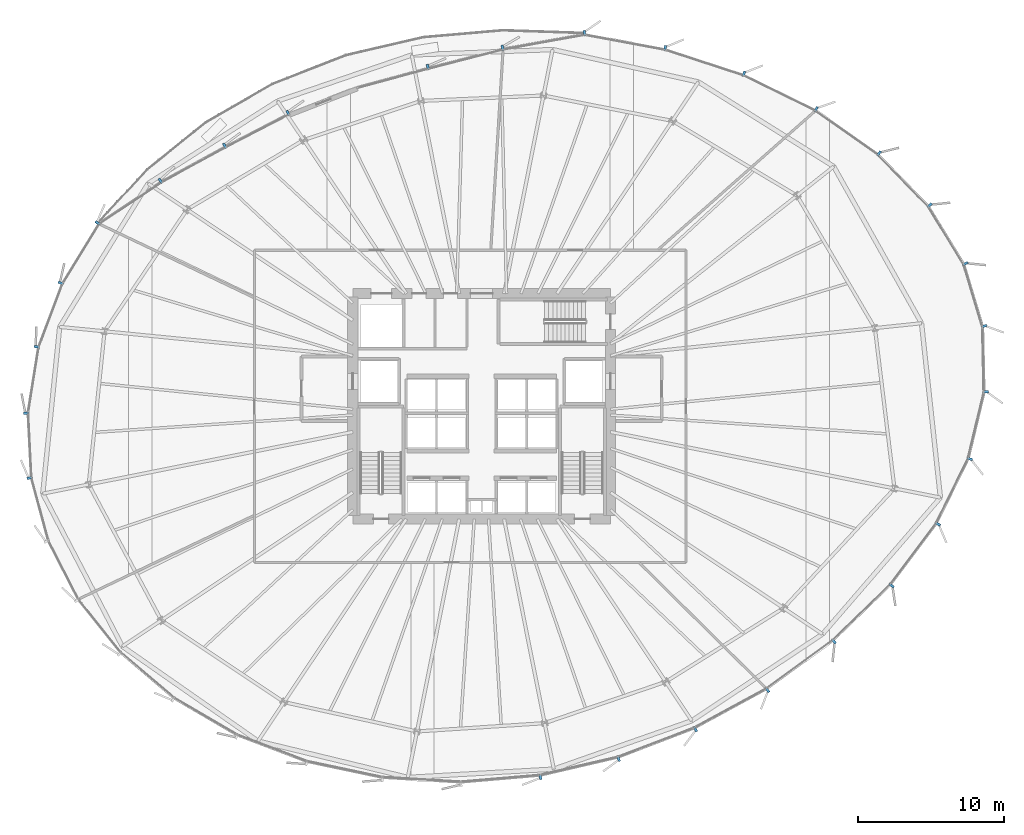
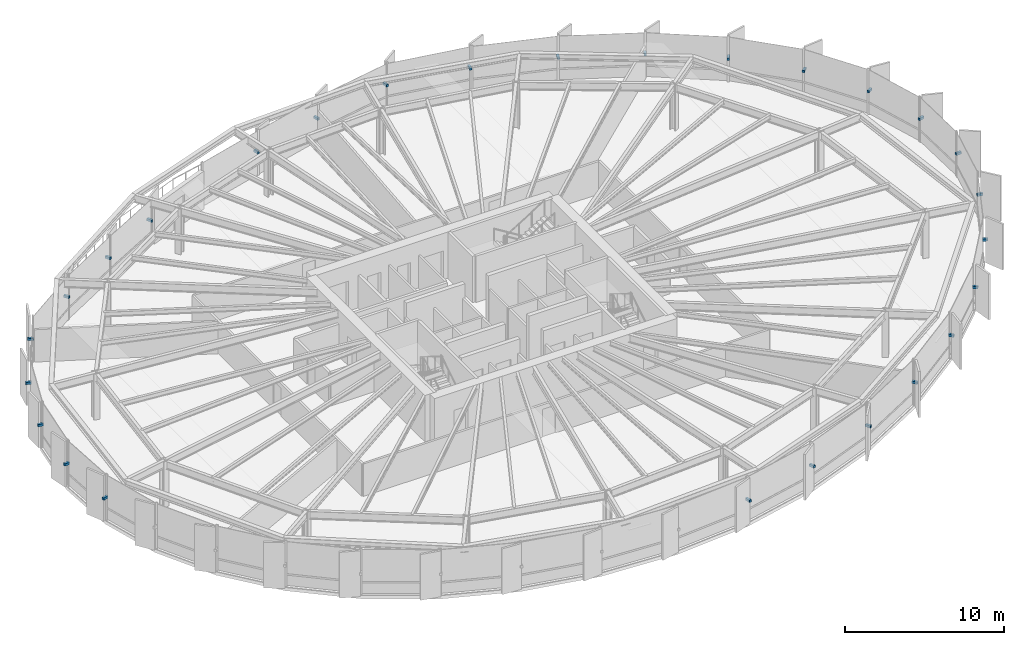
# One storey, part 34 of 38: 27 discrete accessories.
"""IFC4 building model written with IfcOpenShell, lengths in metres."""

import ifcopenshell
import ifcopenshell.guid

model = None  # the IFC model being written
_history = None  # IfcOwnerHistory: only IFC2X3 demands one
_inside = {}  # id of a spatial element -> (the spatial element, [elements in it])
_under = {}  # id of a project, library or spatial element -> (it, [spatial elements below it])
_declared = {}  # id of a project -> (the project, [libraries it declares])
_typed = {}  # id of a type object -> (the type object, [elements of that type])
_made_of = {}  # id of a material, layer set ... -> (it, [elements and type objects made of it])


def new_model(schema):
    """Start an empty IFC model of exactly this schema.

    Asked for "IFC4X3", IfcOpenShell would pick the latest addendum, in which some entities
    have other attributes; the version numbers below select the first issue.
    IFC2X3 requires an IfcOwnerHistory on every rooted entity: one is made here for all.
    """
    global model, _history
    if schema == "IFC4X3":
        model = ifcopenshell.file(schema_version=(4, 3, 0, 0))
    else:
        model = ifcopenshell.file(schema=schema)
    _inside.clear()
    _under.clear()
    _declared.clear()
    _typed.clear()
    _made_of.clear()
    _history = None
    if model.schema == "IFC2X3":
        org = make("IfcOrganization", Name="unknown")
        user = make(
            "IfcPersonAndOrganization",
            ThePerson=make("IfcPerson", FamilyName="unknown"),
            TheOrganization=org,
        )
        app = make(
            "IfcApplication",
            ApplicationDeveloper=org,
            Version="unknown",
            ApplicationFullName="unknown",
            ApplicationIdentifier="unknown",
        )
        _history = make(
            "IfcOwnerHistory",
            OwningUser=user,
            OwningApplication=app,
            ChangeAction="ADDED",
            CreationDate=0,
        )
    return model


def make(cls, **values):
    """One entity of the class cls with the attributes given. An attribute that is None is left unset."""
    return model.create_entity(
        cls, **{name: value for name, value in values.items() if value is not None}
    )


def rooted(cls, **values):
    """An entity with a GlobalId (a new one), such as an element, a storey or a relation."""
    return make(cls, GlobalId=ifcopenshell.guid.new(), OwnerHistory=_history, **values)


def si_unit(unit_type, name, prefix=None):
    """IfcSIUnit, for example si_unit("LENGTHUNIT", "METRE", prefix="MILLI")."""
    return make("IfcSIUnit", UnitType=unit_type, Prefix=prefix, Name=name)


def assignment(units):
    """IfcUnitAssignment: the units of a project."""
    return None if units is None else make("IfcUnitAssignment", Units=units)


def point(xyz):
    """IfcCartesianPoint."""
    return None if xyz is None else make("IfcCartesianPoint", Coordinates=xyz)


def direction(xyz):
    """IfcDirection."""
    return None if xyz is None else make("IfcDirection", DirectionRatios=xyz)


def frame(location, z_axis=None, x_axis=None):
    """IfcAxis2Placement3D, a coordinate frame: its origin and axes. An axis left out is left unset."""
    return make(
        "IfcAxis2Placement3D",
        Location=point(location),
        Axis=direction(z_axis),
        RefDirection=direction(x_axis),
    )


def frame_2d(location, x_axis=None):
    """IfcAxis2Placement2D, a coordinate frame in the plane: its origin and x axis."""
    return make(
        "IfcAxis2Placement2D", Location=point(location), RefDirection=direction(x_axis)
    )


def origin():
    """The frame at (0, 0, 0) with its axes left unset."""
    return frame((0.0, 0.0, 0.0))


def origin_2d():
    """The frame at (0, 0) in the plane with its x axis left unset."""
    return frame_2d((0.0, 0.0))


def place(relative_to, where):
    """IfcLocalPlacement: puts the frame where relative to a parent placement (None: the world)."""
    return make(
        "IfcLocalPlacement", PlacementRelTo=relative_to, RelativePlacement=where
    )


def context(
    kind, dimensions, precision=None, world=None, true_north=None, identifier=None
):
    """IfcGeometricRepresentationContext, for example the 3D "Model" context."""
    return make(
        "IfcGeometricRepresentationContext",
        ContextIdentifier=identifier,
        ContextType=kind,
        CoordinateSpaceDimension=dimensions,
        Precision=precision,
        WorldCoordinateSystem=world,
        TrueNorth=true_north,
    )


def subcontext(parent, identifier, kind, view, scale=None):
    """IfcGeometricRepresentationSubContext, for example "Body" below "Model"."""
    return make(
        "IfcGeometricRepresentationSubContext",
        ContextIdentifier=identifier,
        ContextType=kind,
        ParentContext=parent,
        TargetScale=scale,
        TargetView=view,
    )


def project(units=None, contexts=None):
    """IfcProject with its units and contexts."""
    return rooted(
        "IfcProject",
        Name="project",
        RepresentationContexts=contexts,
        UnitsInContext=assignment(units),
    )


def spatial(cls, under=None, at=None, **own):
    """A site, building, storey or space (cls), placed at a placement, below another one or the project."""
    s = rooted(cls, ObjectPlacement=at, **own)
    if under is not None:
        _under.setdefault(under.id(), (under, []))[1].append(s)
    return s


def profile(cls, at=None, kind="AREA", **sizes):
    """A parametric profile (cls). Its sizes go by their IFC names, for example OverallWidth=200.0."""
    return make(cls, ProfileType=kind, Position=at, **sizes)


def rectangle(**sizes):
    """IfcRectangleProfileDef."""
    return profile("IfcRectangleProfileDef", **sizes)


def extrude(swept, where, along, depth):
    """IfcExtrudedAreaSolid: the profile swept, set in the frame where, extruded along a direction by depth."""
    return make(
        "IfcExtrudedAreaSolid",
        SweptArea=swept,
        Position=where,
        ExtrudedDirection=direction(along),
        Depth=depth,
    )


def shape(context_of_items, identifier, shape_type, items):
    """IfcShapeRepresentation: the items that make up one representation, for example the "Body"."""
    return make(
        "IfcShapeRepresentation",
        ContextOfItems=context_of_items,
        RepresentationIdentifier=identifier,
        RepresentationType=shape_type,
        Items=items,
    )


def source(mapping_origin, context_of_items, identifier, shape_type, items):
    """IfcRepresentationMap: a shape defined once, which mapped items show again and again."""
    return make(
        "IfcRepresentationMap",
        MappingOrigin=mapping_origin,
        MappedRepresentation=shape(context_of_items, identifier, shape_type, items),
    )


def transform(
    local_origin,
    x_axis=None,
    y_axis=None,
    z_axis=None,
    scale=None,
    scale2=None,
    scale3=None,
    uniform=True,
):
    """IfcCartesianTransformationOperator3D, or its non-uniform kind. x_axis, y_axis, z_axis: its Axis1, 2, 3."""
    if uniform:
        return make(
            "IfcCartesianTransformationOperator3D",
            Axis1=direction(x_axis),
            Axis2=direction(y_axis),
            LocalOrigin=point(local_origin),
            Scale=scale,
            Axis3=direction(z_axis),
        )
    return make(
        "IfcCartesianTransformationOperator3DnonUniform",
        Axis1=direction(x_axis),
        Axis2=direction(y_axis),
        LocalOrigin=point(local_origin),
        Scale=scale,
        Axis3=direction(z_axis),
        Scale2=scale2,
        Scale3=scale3,
    )


def mapped(mapping_source, mapping_target):
    """IfcMappedItem: shows the shape of a source again, moved by a transform."""
    return make(
        "IfcMappedItem", MappingSource=mapping_source, MappingTarget=mapping_target
    )


def material(Name=None, Category=None):
    """IfcMaterial."""
    return make("IfcMaterial", Name=Name, Category=Category)


def made_of(thing, what):
    """Note that an element or type object is made of a material, layer set ...; save() writes the relation."""
    if what is not None:
        _made_of.setdefault(what.id(), (what, []))[1].append(thing)
    return thing


def type_object(cls, material=None, **own):
    """A type object (cls), such as IfcWallType, which elements share."""
    return made_of(rooted(cls, **own), material)


def element(
    cls,
    number,
    at=None,
    inside=None,
    cuts=None,
    type_object=None,
    material=None,
    context=None,
    identifier="Body",
    shape_type=None,
    held_by="IfcProductDefinitionShape",
    body=None,
    shapes=None,
    **own,
):
    """One element of the class cls, such as IfcWall. Its Tag is "e" and its number.

    at: its placement. inside: the storey or other place that contains it. cuts: it is an
    opening in that element (IfcRelVoidsElement). A single representation is given by context,
    identifier, shape_type and body (its items); several are given by shapes. held_by: the class
    of the entity that holds the representations. save() writes the other relations.
    """
    e = rooted(cls, Tag="e%d" % number, ObjectPlacement=at, **own)
    if body is not None:
        shapes = [shape(context, identifier, shape_type, body)]
    if shapes is not None:
        e.Representation = make(held_by, Representations=shapes)
    if inside is not None:
        _inside.setdefault(inside.id(), (inside, []))[1].append(e)
    if cuts is not None:
        rooted(
            "IfcRelVoidsElement", RelatingBuildingElement=cuts, RelatedOpeningElement=e
        )
    if type_object is not None:
        _typed.setdefault(type_object.id(), (type_object, []))[1].append(e)
    return made_of(e, material)


def aggregate(whole, parts):
    """IfcRelAggregates: a whole, such as a stair, and the parts it consists of."""
    return rooted("IfcRelAggregates", RelatingObject=whole, RelatedObjects=parts)


def save(model, path):
    """Write the relations noted so far, then the file.

    IfcRelAggregates (storeys below a building ...), IfcRelContainedInSpatialStructure (elements
    in a storey), IfcRelDefinesByType, IfcRelAssociatesMaterial and IfcRelDeclares: one each for
    every whole, place, type object, material and project.
    """
    for whole, parts in _under.values():
        aggregate(whole, parts)
    for where, things in _inside.values():
        rooted(
            "IfcRelContainedInSpatialStructure",
            RelatedElements=things,
            RelatingStructure=where,
        )
    for kind, things in _typed.values():
        rooted("IfcRelDefinesByType", RelatedObjects=things, RelatingType=kind)
    for what, things in _made_of.values():
        rooted("IfcRelAssociatesMaterial", RelatedObjects=things, RelatingMaterial=what)
    for by, libraries in _declared.values():
        rooted("IfcRelDeclares", RelatingContext=by, RelatedDefinitions=libraries)
    model.write(path)


model = new_model("IFC4")

# Units and contexts
model_context = context("Model", 3, precision=1e-05, world=origin(), true_north=direction((0.0, 1.0)))
body_context = subcontext(model_context, "Body", "Model", "MODEL_VIEW")
ifc_project = project(units=[si_unit("LENGTHUNIT", "METRE"), si_unit("AREAUNIT", "SQUARE_METRE"), si_unit("VOLUMEUNIT", "CUBIC_METRE"), si_unit("PLANEANGLEUNIT", "RADIAN"), si_unit("MASSUNIT", "GRAM", prefix="KILO"), si_unit("THERMODYNAMICTEMPERATUREUNIT", "KELVIN")], contexts=[model_context])

# Site, building, storey
site_placement = place(None, origin())
site = spatial("IfcSite", under=ifc_project, at=site_placement, CompositionType="ELEMENT")
building_placement = place(site_placement, origin())
building = spatial("IfcBuilding", under=site, at=building_placement, Name="Kethvar Cultural Tower", CompositionType="ELEMENT")
storey_placement = place(building_placement, frame((0.0, 0.0, 67.60009765625)))
storey = spatial("IfcBuildingStorey", under=building, at=storey_placement, Name="L16", CompositionType="ELEMENT", Elevation=67.60009765625)

# Discrete accessories
ifc_material = material(Name="Steel S355J2", Category="steel")
discrete_accessory_type = type_object("IfcDiscreteAccessoryType", Name="Steel Fin Bracket BRK-01", PredefinedType="BRACKET", material=ifc_material)
shared_shape = source(origin(), body_context, "Body", "SweptSolid", [
    extrude(rectangle(XDim=0.3798828125, YDim=0.159912109375, at=origin_2d()), origin(), (0.0, 0.0, 1.0), 0.179931640625),
])
for number, where, z_axis, x_axis, name in (
    (1, (81.11279296875, 33.2783203125, 1.68505859375), (0.0, 0.0, 1.0), (0.957521046483, 0.288363391474, 0.0), "L16 Terracotta Fin Bracket 1.1"),
    (2, (79.82958984375, 37.5380859375, 1.68505859375), (0.0, 0.0, 1.0), (0.853095805649, 0.521754296948, 0.0), "L16 Terracotta Fin Bracket 1.2"),
    (3, (77.393310546875, 41.5205078125, 1.68505859375), (0.0, 0.0, 1.0), (0.71691060765, 0.697165102855, 0.0), "L16 Terracotta Fin Bracket 1.3"),
    (4, (73.939208984375, 45.071533203125, 1.68505859375), (0.0, 0.0, 1.0), (0.575576288125, 0.817748088685, 0.0), "L16 Terracotta Fin Bracket 1.4"),
    (5, (69.643310546875, 48.0947265625, 1.68505859375), (0.0, 0.0, 1.0), (0.440252613806, 0.897873953312, 0.0), "L16 Terracotta Fin Bracket 1.5"),
    (6, (64.71435546875, 50.510986328125, 1.68505859375), (0.0, 0.0, 1.0), (0.310842321189, 0.950461493885, 0.0), "L16 Terracotta Fin Bracket 1.6"),
    (7, (59.330810546875, 52.265869140625, 1.68505859375), (0.0, 0.0, 1.0), (0.182921922448, 0.983127443564, 0.0), "L16 Terracotta Fin Bracket 2.1"),
    (8, (53.823974609375, 53.290283203125, 1.68505859375), (0.0, 0.0, 1.0), (-0.176741180461, 0.984257362243, 0.0), "L16 Terracotta Fin Bracket 2.2"),
    (9, (48.231201171875, 52.28564453125, 1.68505859375), (0.0, 0.0, 1.0), (-0.249535040626, 0.96836576948, 0.0), "L16 Terracotta Fin Bracket 2.3"),
    (10, (43.12890625, 50.97119140625, 1.68505859375), (0.0, 0.0, 1.0), (-0.261515406195, 0.965199301866, 0.0), "L16 Terracotta Fin Bracket 2.4"),
    (11, (33.577880859375, 47.833740234375, 1.68505859375), (0.0, 0.0, 1.0), (-0.46035473079, 0.8877350516, 0.0), "L16 Terracotta Fin Bracket 3.1"),
    (12, (29.256591796875, 45.5927734375, 1.68505859375), (0.0, 0.0, 1.0), (-0.478845087586, 0.877899414566, 0.0), "L16 Terracotta Fin Bracket 3.2"),
    (13, (24.865234375, 43.197265625, 1.68505859375), (0.0, 0.0, 1.0), (-0.556875616488, 0.830595899196, 0.0), "L16 Terracotta Fin Bracket 3.3"),
    (14, (20.5771484375, 40.32177734375, 1.68505859375), (0.0, 0.0, 1.0), (-0.852640164354, 0.522498564716, 0.0), "L16 Terracotta Fin Bracket 3.4"),
    (15, (18.06298828125, 36.21923828125, 1.68505859375), (0.0, 0.0, 1.0), (-0.935875183578, 0.352331719779, 0.0), "L16 Terracotta Fin Bracket 3.5"),
    (16, (16.42236328125, 31.86083984375, 1.68505859375), (0.0, 0.0, 1.0), (-0.987413806751, 0.158158067254, 0.0), "L16 Terracotta Fin Bracket 3.6"),
    (17, (15.706787109375, 27.3369140625, 1.68505859375), (0.0, 0.0, 1.0), (-0.998710511839, -0.050767248716, 0.0), "L16 Terracotta Fin Bracket 4.1"),
    (18, (15.931884765625, 22.909912109375, 1.68505859375), (0.0, 0.0, 1.0), (-0.965518082788, -0.260335997913, 0.0), "L16 Terracotta Fin Bracket 4.2"),
    (19, (50.808837890625, 2.493408203125, 1.68505859375), (0.0, 0.0, 1.0), (0.226141303767, -0.97409450811, 0.0), "L16 Terracotta Fin Bracket 5.5"),
    (20, (56.1513671875, 3.733642578125, 1.68505859375), (0.0, 0.0, 1.0), (0.357716100175, -0.933830386995, 0.0), "L16 Terracotta Fin Bracket 5.6"),
    (21, (61.397705078125, 5.7490234375, 1.68505859375), (0.0, 0.0, 1.0), (0.477772174015, -0.87848377887, 0.0), "L16 Terracotta Fin Bracket 6.1"),
    (22, (66.316162109375, 8.424560546875, 1.68505859375), (0.0, 0.0, 1.0), (0.589337369217, -0.807887037428, 0.0), "L16 Terracotta Fin Bracket 6.2"),
    (23, (70.856689453125, 11.7373046875, 1.68505859375), (0.0, 0.0, 1.0), (0.696163427557, -0.717883334625, 0.0), "L16 Terracotta Fin Bracket 6.3"),
    (24, (74.7978515625, 15.55859375, 1.68505859375), (0.0, 0.0, 1.0), (0.800103635968, -0.599861793842, 0.0), "L16 Terracotta Fin Bracket 6.4"),
    (25, (77.94921875, 19.761962890625, 1.68505859375), (0.0, 0.0, 1.0), (0.897258369674, -0.441505852792, 0.0), "L16 Terracotta Fin Bracket 6.5"),
    (26, (80.136474609375, 24.20703125, 1.68505859375), (0.0, 0.0, 1.0), (0.972573269632, -0.232596722241, 0.0), "L16 Terracotta Fin Bracket 6.6"),
    (27, (81.2216796875, 28.789794921875, 1.68505859375), (0.0, 0.0, 1.0), (0.999765819268, 0.021640393312, 0.0), "L16 Terracotta Fin Bracket 7.1"),
):
    element("IfcDiscreteAccessory", number, at=place(storey_placement, frame(where, z_axis=z_axis, x_axis=x_axis)), inside=storey, type_object=discrete_accessory_type, Name=name, PredefinedType="BRACKET", context=body_context, shape_type="MappedRepresentation", body=[
        mapped(shared_shape, transform((0.0, 0.0, 0.0), scale=1.0)),
    ])

save(model, "model.ifc")
